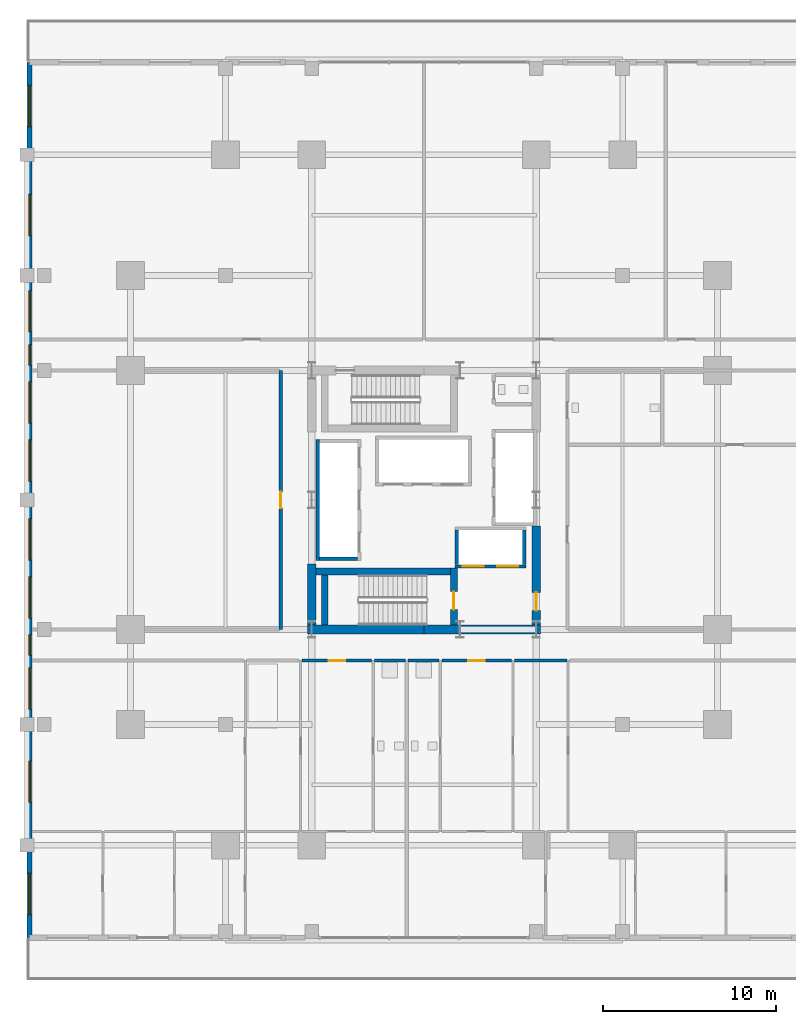
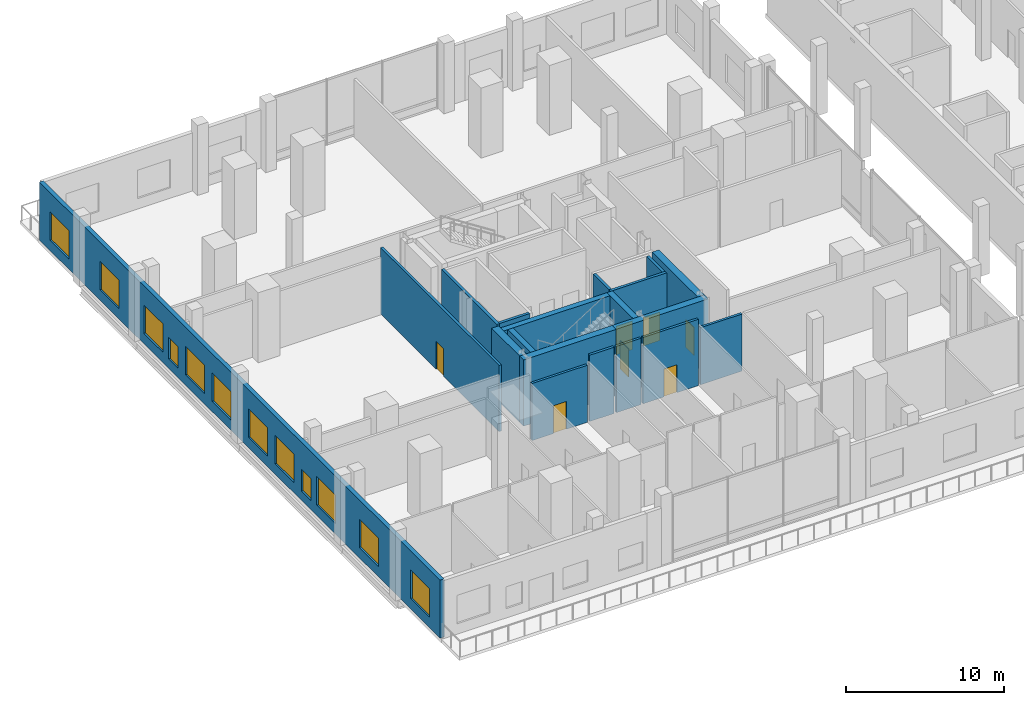
# One storey, part 21 of 32: 19 walls, 12 windows, 7 doors, 19 openings.
"""IFC4 building model written with IfcOpenShell, lengths in metres."""

from ifc_helpers import new_model, si_unit, direction, frame, frame_2d, origin, place, context, subcontext, project, spatial, rectangle, extrude, material, layer, layer_set, type_object, element, fill, save


model = new_model("IFC4")

# Units and contexts
model_context = context("Model", 3, precision=1e-05, world=origin(), true_north=direction((0.0, 1.0)))
body_context = subcontext(model_context, "Body", "Model", "MODEL_VIEW")
ifc_project = project(units=[si_unit("LENGTHUNIT", "METRE"), si_unit("AREAUNIT", "SQUARE_METRE"), si_unit("VOLUMEUNIT", "CUBIC_METRE"), si_unit("PLANEANGLEUNIT", "RADIAN"), si_unit("MASSUNIT", "GRAM", prefix="KILO")], contexts=[model_context])

# Site, building, storey
site_placement = place(None, origin())
site = spatial("IfcSite", under=ifc_project, at=site_placement, CompositionType="ELEMENT")
building_placement = place(site_placement, origin())
building = spatial("IfcBuilding", under=site, at=building_placement, Name="Barlavira Tower and Art Museum", CompositionType="ELEMENT")
storey_placement = place(building_placement, frame((0.0, 0.0, 6.0)))
storey = spatial("IfcBuildingStorey", under=building, at=storey_placement, Name="L01", CompositionType="ELEMENT", Elevation=6.0)

# Walls
ifc_material_1 = material(Name="Concrete C60", Category="concrete")
ifc_layer_1 = layer(ifc_material_1, 0.5, Name="Concrete C60")
ifc_layer_set_1 = layer_set([ifc_layer_1], Name="Concrete C60")
wall_type_1 = type_object("IfcWallType", Name="Core Structural Shear Wall 500 Concrete C60", PredefinedType="SHEAR", material=ifc_layer_set_1)
for number, where, z_axis, x_axis, name in (
    (1, (-6.75, -7.5, 0.0), (0.0, 0.0, 1.0), (1.0, 0.0, 0.0), "L01 Core Shear Wall CS-SW"),
    (2, (0.0, -7.5, 0.0), (0.0, 0.0, 1.0), (1.0, 0.0, 0.0), "L01 Core Shear Wall CS-SE"),
):
    element("IfcWall", number, at=place(storey_placement, frame(where, z_axis=z_axis, x_axis=x_axis)), inside=storey, type_object=wall_type_1, Name=name, PredefinedType="SHEAR", context=body_context, shape_type="SweptSolid", body=[
        extrude(rectangle(XDim=6.75, YDim=0.5, at=frame_2d((3.375, 0.0))), origin(), (0.0, 0.0, 1.0), 5.1201171875),
    ])
wall_1_placement = place(storey_placement, frame((-6.5, -7.25, 0.0), z_axis=(0.0, 0.0, 1.0), x_axis=(0.0, 1.0, 0.0)))
element("IfcWall", 3, at=wall_1_placement, inside=storey, type_object=wall_type_1, Name="L01 Core Shear Wall CS-W1", PredefinedType="SHEAR", context=body_context, shape_type="SweptSolid", body=[
    extrude(rectangle(XDim=3.550048828125, YDim=0.5, at=frame_2d((1.77490234375, 0.0))), origin(), (0.0, 0.0, 1.0), 5.1201171875),
])

# Wall, opening, door
wall_2_placement = place(storey_placement, frame((6.5, -7.25, 0.0), z_axis=(0.0, 0.0, 1.0), x_axis=(0.0, 1.0, 0.0)))
wall_2 = element("IfcWall", 4, at=wall_2_placement, inside=storey, type_object=wall_type_1, Name="L01 Core Shear Wall CS-E1", PredefinedType="SHEAR", context=body_context, shape_type="SweptSolid", body=[
    extrude(rectangle(XDim=5.75, YDim=0.5, at=frame_2d((2.875, 0.0))), origin(), (0.0, 0.0, 1.0), 5.1201171875),
])
opening_1_placement = place(wall_2_placement, frame((0.85009765625, 0.0, 0.0)))
opening_1 = element("IfcOpeningElement", 5, at=opening_1_placement, cuts=wall_2, Name="Opening FD-90", PredefinedType="OPENING", context=body_context, shape_type="SweptSolid", body=[
    extrude(rectangle(XDim=1.050048828125, YDim=2.14990234375, at=frame_2d((0.52490234375, 1.074951171875))), frame((0.0, 0.260009765625, 0.0), z_axis=(0.0, -1.0, 0.0), x_axis=(1.0, 0.0, 0.0)), (0.0, 0.0, 1.0), 0.52001953125),
])
ifc_material_2 = material(Name="Brushed stainless steel", Category="steel")
door_type_1 = type_object("IfcDoorType", Name="Stair and Refuge Fire Door 1050x2150 FD90S", OperationType="NOTDEFINED", PredefinedType="DOOR", material=ifc_material_2)
door_1_placement = place(opening_1_placement, origin())
door_1 = element("IfcDoor", 6, at=door_1_placement, inside=storey, type_object=door_type_1, Name="L01 Firefighting Lobby Entry Fire Door", OperationType="SINGLE_SWING_LEFT", OverallHeight=2.14990234375, OverallWidth=1.050048828125, PredefinedType="DOOR", context=body_context, shape_type="SweptSolid", body=[
    extrude(rectangle(XDim=1.050048828125, YDim=2.14990234375, at=frame_2d((0.52490234375, 1.074951171875))), frame((0.0, 0.02490234375, 0.0), z_axis=(0.0, -1.0, 0.0), x_axis=(1.0, 0.0, 0.0)), (0.0, 0.0, 1.0), 0.050048828125),
])
fill(opening_1, door_1)

# Walls
ifc_material_3 = material(Name="Autoclaved aerated concrete masonry", Category="masonry")
ifc_layer_2 = layer(ifc_material_3, 0.199951171875, Name="Autoclaved aerated concrete masonry")
ifc_layer_set_2 = layer_set([ifc_layer_2], Name="Autoclaved aerated concrete masonry")
wall_type_2 = type_object("IfcWallType", Name="Fire Compartment and Shaft Wall 200", PredefinedType="SOLIDWALL", material=ifc_layer_set_2)
wall_3_placement = place(storey_placement, frame((-6.14990234375, -3.510009765625, 0.0), z_axis=(0.0, 0.0, 1.0), x_axis=(0.0, 1.0, 0.0)))
element("IfcWall", 7, at=wall_3_placement, inside=storey, type_object=wall_type_2, Name="L01 Low-Rise Lift Back Shaft Wall", PredefinedType="SOLIDWALL", context=body_context, shape_type="SweptSolid", body=[
    extrude(rectangle(XDim=7.02001953125, YDim=0.199951171875, at=frame_2d((3.510009765625, 0.0))), origin(), (0.0, 0.0, 1.0), 5.1201171875),
])
wall_4_placement = place(storey_placement, frame((-6.050048828125, -3.409912109375, 0.0), z_axis=(0.0, 0.0, 1.0), x_axis=(1.0, 0.0, 0.0)))
element("IfcWall", 8, at=wall_4_placement, inside=storey, type_object=wall_type_2, Name="L01 Low-Rise Lift South Shaft Wall", PredefinedType="SOLIDWALL", context=body_context, shape_type="SweptSolid", body=[
    extrude(rectangle(XDim=2.199951171875, YDim=0.199951171875, at=frame_2d((1.10009765625, 0.0))), origin(), (0.0, 0.0, 1.0), 5.1201171875),
])

# Wall, openings, doors
wall_5_placement = place(storey_placement, frame((1.800048828125, -3.85009765625, 0.0), z_axis=(0.0, 0.0, 1.0), x_axis=(1.0, 0.0, 0.0)))
wall_5 = element("IfcWall", 9, at=wall_5_placement, inside=storey, type_object=wall_type_2, Name="L01 Firefighting Lift Front Shaft Wall", PredefinedType="SOLIDWALL", context=body_context, shape_type="SweptSolid", body=[
    extrude(rectangle(XDim=4.099853515625, YDim=0.199951171875, at=frame_2d((2.0498046875, 0.0))), origin(), (0.0, 0.0, 1.0), 5.1201171875),
])
opening_2_placement = place(wall_5_placement, frame((0.449951171875, 0.0, 0.0)))
opening_2 = element("IfcOpeningElement", 10, at=opening_2_placement, cuts=wall_5, Name="Opening LD-F", PredefinedType="OPENING", context=body_context, shape_type="SweptSolid", body=[
    extrude(rectangle(XDim=1.199951171875, YDim=2.199951171875, at=frame_2d((0.60009765625, 1.10009765625))), frame((0.0, 0.10986328125, 0.0), z_axis=(0.0, -1.0, 0.0), x_axis=(1.0, 0.0, 0.0)), (0.0, 0.0, 1.0), 0.219970703125),
])
opening_3_placement = place(wall_5_placement, frame((2.449951171875, 0.0, 0.0)))
opening_3 = element("IfcOpeningElement", 11, at=opening_3_placement, cuts=wall_5, Name="Opening LD-F", PredefinedType="OPENING", context=body_context, shape_type="SweptSolid", body=[
    extrude(rectangle(XDim=1.199951171875, YDim=2.199951171875, at=frame_2d((0.60009765625, 1.10009765625))), frame((0.0, 0.10986328125, 0.0), z_axis=(0.0, -1.0, 0.0), x_axis=(1.0, 0.0, 0.0)), (0.0, 0.0, 1.0), 0.219970703125),
])
door_type_2 = type_object("IfcDoorType", Name="Firefighting and Service Lift Sliding Door 1200x2200 FD120", OperationType="NOTDEFINED", PredefinedType="DOOR", material=ifc_material_2)
door_2_placement = place(opening_2_placement, origin())
door_2 = element("IfcDoor", 12, at=door_2_placement, inside=storey, type_object=door_type_2, Name="L01 Firefighting Lift FF1 Sliding Door", OperationType="DOUBLE_DOOR_SLIDING", OverallHeight=2.199951171875, OverallWidth=1.199951171875, PredefinedType="DOOR", context=body_context, shape_type="SweptSolid", body=[
    extrude(rectangle(XDim=1.199951171875, YDim=2.199951171875, at=frame_2d((0.60009765625, 1.10009765625))), frame((0.0, 0.02490234375, 0.0), z_axis=(0.0, -1.0, 0.0), x_axis=(1.0, 0.0, 0.0)), (0.0, 0.0, 1.0), 0.050048828125),
])
fill(opening_2, door_2)
door_3_placement = place(opening_3_placement, origin())
door_3 = element("IfcDoor", 13, at=door_3_placement, inside=storey, type_object=door_type_2, Name="L01 Firefighting Lift FF2 Sliding Door", OperationType="DOUBLE_DOOR_SLIDING", OverallHeight=2.199951171875, OverallWidth=1.199951171875, PredefinedType="DOOR", context=body_context, shape_type="SweptSolid", body=[
    extrude(rectangle(XDim=1.199951171875, YDim=2.199951171875, at=frame_2d((0.60009765625, 1.10009765625))), frame((0.0, 0.02490234375, 0.0), z_axis=(0.0, -1.0, 0.0), x_axis=(1.0, 0.0, 0.0)), (0.0, 0.0, 1.0), 0.050048828125),
])
fill(opening_3, door_3)

# Walls
for number, where, z_axis, x_axis, name in (
    (14, (1.89990234375, -3.75, 0.0), (0.0, 0.0, 1.0), (0.0, 1.0, 0.0), "L01 Firefighting Lift West Shaft Wall"),
    (15, (5.800048828125, -3.75, 0.0), (0.0, 0.0, 1.0), (0.0, 1.0, 0.0), "L01 Firefighting Lift East Shaft Wall"),
):
    element("IfcWall", number, at=place(storey_placement, frame(where, z_axis=z_axis, x_axis=x_axis)), inside=storey, type_object=wall_type_2, Name=name, PredefinedType="SOLIDWALL", context=body_context, shape_type="SweptSolid", body=[
        extrude(rectangle(XDim=2.0, YDim=0.199951171875, at=frame_2d((1.0, 0.0))), origin(), (0.0, 0.0, 1.0), 5.1201171875),
    ])

# Wall, opening, door
ifc_material_4 = material(Name="Gypsum acoustic stud partition", Category="gypsum")
ifc_layer_3 = layer(ifc_material_4, 0.179931640625, Name="Gypsum acoustic stud partition")
ifc_layer_set_3 = layer_set([ifc_layer_3], Name="Gypsum acoustic stud partition")
wall_type_3 = type_object("IfcWallType", Name="Inter-Tenancy Party Partition Wall 180", PredefinedType="PARTITIONING", material=ifc_layer_set_3)
wall_6_placement = place(storey_placement, frame((-8.300048828125, -7.5, 0.0), z_axis=(0.0, 0.0, 1.0), x_axis=(0.0, 1.0, 0.0)))
wall_6 = element("IfcWall", 16, at=wall_6_placement, inside=storey, type_object=wall_type_3, Name="L01 Partition Wall 4", PredefinedType="PARTITIONING", context=body_context, shape_type="SweptSolid", body=[
    extrude(rectangle(XDim=15.0, YDim=0.179931640625, at=frame_2d((7.5, 0.0))), origin(), (0.0, 0.0, 1.0), 5.1201171875),
])
opening_4_placement = place(wall_6_placement, frame((7.02490234375, 0.0, 0.0)))
opening_4 = element("IfcOpeningElement", 17, at=opening_4_placement, cuts=wall_6, Name="Opening FD-60", PredefinedType="OPENING", context=body_context, shape_type="SweptSolid", body=[
    extrude(rectangle(XDim=0.949951171875, YDim=2.14990234375, at=frame_2d((0.47509765625, 1.074951171875))), frame((0.0, 0.10009765625, 0.0), z_axis=(0.0, -1.0, 0.0), x_axis=(1.0, 0.0, 0.0)), (0.0, 0.0, 1.0), 0.199951171875),
])
door_type_3 = type_object("IfcDoorType", Name="Apartment Entrance and Riser Fire Door 950x2150 FD60S", OperationType="NOTDEFINED", PredefinedType="DOOR", material=ifc_material_2)
door_4_placement = place(opening_4_placement, origin())
door_4 = element("IfcDoor", 18, at=door_4_placement, inside=storey, type_object=door_type_3, Name="L01 West Ocean-View Lounge Door", OperationType="SINGLE_SWING_RIGHT", OverallHeight=2.14990234375, OverallWidth=0.949951171875, PredefinedType="DOOR", context=body_context, shape_type="SweptSolid", body=[
    extrude(rectangle(XDim=0.949951171875, YDim=2.14990234375, at=frame_2d((0.47509765625, 1.074951171875))), frame((0.0, 0.02490234375, 0.0), z_axis=(0.0, -1.0, 0.0), x_axis=(1.0, 0.0, 0.0)), (0.0, 0.0, 1.0), 0.050048828125),
])
fill(opening_4, door_4)

wall_7_placement = place(storey_placement, frame((-7.070068359375, -9.300048828125, 0.0), z_axis=(0.0, 0.0, 1.0), x_axis=(1.0, 0.0, 0.0)))
wall_7 = element("IfcWall", 19, at=wall_7_placement, inside=storey, type_object=wall_type_3, Name="L01 Partition Wall 43", PredefinedType="PARTITIONING", context=body_context, shape_type="SweptSolid", body=[
    extrude(rectangle(XDim=4.0400390625, YDim=0.179931640625, at=frame_2d((2.02001953125, 0.0))), origin(), (0.0, 0.0, 1.0), 4.409912109375),
])
opening_5_placement = place(wall_7_placement, frame((1.544921875, 0.0, 0.0)))
opening_5 = element("IfcOpeningElement", 20, at=opening_5_placement, cuts=wall_7, Name="Opening FD-60", PredefinedType="OPENING", context=body_context, shape_type="SweptSolid", body=[
    extrude(rectangle(XDim=0.949951171875, YDim=2.14990234375, at=frame_2d((0.47509765625, 1.074951171875))), frame((0.0, 0.10009765625, 0.0), z_axis=(0.0, -1.0, 0.0), x_axis=(1.0, 0.0, 0.0)), (0.0, 0.0, 1.0), 0.199951171875),
])
door_5_placement = place(opening_5_placement, origin())
door_5 = element("IfcDoor", 21, at=door_5_placement, inside=storey, type_object=door_type_3, Name="Apartment Entrance Hall P1-SW Door", OperationType="SINGLE_SWING_RIGHT", OverallHeight=2.14990234375, OverallWidth=0.949951171875, PredefinedType="DOOR", context=body_context, shape_type="SweptSolid", body=[
    extrude(rectangle(XDim=0.949951171875, YDim=2.14990234375, at=frame_2d((0.47509765625, 1.074951171875))), frame((0.0, 0.02490234375, 0.0), z_axis=(0.0, -1.0, 0.0), x_axis=(1.0, 0.0, 0.0)), (0.0, 0.0, 1.0), 0.050048828125),
])
fill(opening_5, door_5)

# Walls
for number, where, z_axis, x_axis, name in (
    (22, (-2.8701171875, -9.300048828125, 0.0), (0.0, 0.0, 1.0), (1.0, 0.0, 0.0), "L01 Partition Wall 44"),
    (23, (-0.919921875, -9.300048828125, 0.0), (0.0, 0.0, 1.0), (1.0, 0.0, 0.0), "L01 Partition Wall 45"),
):
    element("IfcWall", number, at=place(storey_placement, frame(where, z_axis=z_axis, x_axis=x_axis)), inside=storey, type_object=wall_type_3, Name=name, PredefinedType="PARTITIONING", context=body_context, shape_type="SweptSolid", body=[
        extrude(rectangle(XDim=1.7900390625, YDim=0.179931640625, at=frame_2d((0.89501953125, 0.0))), origin(), (0.0, 0.0, 1.0), 5.1201171875),
    ])

# Wall, opening, door
wall_8_placement = place(storey_placement, frame((1.030029296875, -9.300048828125, 0.0), z_axis=(0.0, 0.0, 1.0), x_axis=(1.0, 0.0, 0.0)))
wall_8 = element("IfcWall", 24, at=wall_8_placement, inside=storey, type_object=wall_type_3, Name="L01 Partition Wall 46", PredefinedType="PARTITIONING", context=body_context, shape_type="SweptSolid", body=[
    extrude(rectangle(XDim=4.0400390625, YDim=0.179931640625, at=frame_2d((2.02001953125, 0.0))), origin(), (0.0, 0.0, 1.0), 5.1201171875),
])
opening_6_placement = place(wall_8_placement, frame((1.544921875, 0.0, 0.0)))
opening_6 = element("IfcOpeningElement", 25, at=opening_6_placement, cuts=wall_8, Name="Opening FD-60", PredefinedType="OPENING", context=body_context, shape_type="SweptSolid", body=[
    extrude(rectangle(XDim=0.949951171875, YDim=2.14990234375, at=frame_2d((0.47509765625, 1.074951171875))), frame((0.0, 0.10009765625, 0.0), z_axis=(0.0, -1.0, 0.0), x_axis=(1.0, 0.0, 0.0)), (0.0, 0.0, 1.0), 0.199951171875),
])
door_6_placement = place(opening_6_placement, origin())
door_6 = element("IfcDoor", 26, at=door_6_placement, inside=storey, type_object=door_type_3, Name="Apartment Entrance Hall P1-SE Door", OperationType="SINGLE_SWING_RIGHT", OverallHeight=2.14990234375, OverallWidth=0.949951171875, PredefinedType="DOOR", context=body_context, shape_type="SweptSolid", body=[
    extrude(rectangle(XDim=0.949951171875, YDim=2.14990234375, at=frame_2d((0.47509765625, 1.074951171875))), frame((0.0, 0.02490234375, 0.0), z_axis=(0.0, -1.0, 0.0), x_axis=(1.0, 0.0, 0.0)), (0.0, 0.0, 1.0), 0.050048828125),
])
fill(opening_6, door_6)

# Wall
wall_9_placement = place(storey_placement, frame((5.22998046875, -9.300048828125, 0.0), z_axis=(0.0, 0.0, 1.0), x_axis=(1.0, 0.0, 0.0)))
element("IfcWall", 27, at=wall_9_placement, inside=storey, type_object=wall_type_3, Name="L01 Partition Wall 47", PredefinedType="PARTITIONING", context=body_context, shape_type="SweptSolid", body=[
    extrude(rectangle(XDim=3.0400390625, YDim=0.179931640625, at=frame_2d((1.52001953125, 0.0))), origin(), (0.0, 0.0, 1.0), 4.409912109375),
])

# Wall, openings, windows
ifc_material_5 = material(Name="Precast concrete C40", Category="concrete")
ifc_layer_4 = layer(ifc_material_5, 0.300048828125, Name="Precast concrete C40")
ifc_layer_set_4 = layer_set([ifc_layer_4], Name="Precast concrete C40")
wall_type_4 = type_object("IfcWallType", Name="Podium Architectural Precast Facade Wall 300 Concrete C40", PredefinedType="SOLIDWALL", material=ifc_layer_set_4)
wall_10_placement = place(storey_placement, frame((-22.85009765625, 25.35009765625, 0.0), z_axis=(0.0, 0.0, 1.0), x_axis=(0.0, -1.0, 0.0)))
wall_10 = element("IfcWall", 28, at=wall_10_placement, inside=storey, type_object=wall_type_4, Name="L01 Podium West Facade Wall", PredefinedType="SOLIDWALL", context=body_context, shape_type="SweptSolid", body=[
    extrude(rectangle(XDim=50.7001953125, YDim=0.300048828125, at=frame_2d((25.35009765625, 0.0))), origin(), (0.0, 0.0, 1.0), 4.47607421875),
])
opening_7_placement = place(wall_10_placement, frame((1.330078125, 0.0, 0.800048828125)))
opening_7 = element("IfcOpeningElement", 29, at=opening_7_placement, cuts=wall_10, Name="Opening WN-02", PredefinedType="OPENING", context=body_context, shape_type="SweptSolid", body=[
    extrude(rectangle(XDim=2.39990234375, YDim=2.199951171875, at=frame_2d((1.199951171875, 1.10009765625))), frame((0.0, 0.16015625, 0.0), z_axis=(0.0, -1.0, 0.0), x_axis=(1.0, 0.0, 0.0)), (0.0, 0.0, 1.0), 0.320068359375),
])
opening_8_placement = place(wall_10_placement, frame((7.64990234375, 0.0, 0.800048828125)))
opening_8 = element("IfcOpeningElement", 30, at=opening_8_placement, cuts=wall_10, Name="Opening WN-02", PredefinedType="OPENING", context=body_context, shape_type="SweptSolid", body=[
    extrude(rectangle(XDim=2.39990234375, YDim=2.199951171875, at=frame_2d((1.199951171875, 1.10009765625))), frame((0.0, 0.16015625, 0.0), z_axis=(0.0, -1.0, 0.0), x_axis=(1.0, 0.0, 0.0)), (0.0, 0.0, 1.0), 0.320068359375),
])
opening_9_placement = place(wall_10_placement, frame((13.219970703125, 0.0, 0.800048828125)))
opening_9 = element("IfcOpeningElement", 31, at=opening_9_placement, cuts=wall_10, Name="Opening WN-02", PredefinedType="OPENING", context=body_context, shape_type="SweptSolid", body=[
    extrude(rectangle(XDim=2.39990234375, YDim=2.199951171875, at=frame_2d((1.199951171875, 1.10009765625))), frame((0.0, 0.16015625, 0.0), z_axis=(0.0, -1.0, 0.0), x_axis=(1.0, 0.0, 0.0)), (0.0, 0.0, 1.0), 0.320068359375),
])
opening_10_placement = place(wall_10_placement, frame((16.35009765625, 0.0, 0.719970703125)))
opening_10 = element("IfcOpeningElement", 32, at=opening_10_placement, cuts=wall_10, Name="Opening WN-05", PredefinedType="OPENING", context=body_context, shape_type="SweptSolid", body=[
    extrude(rectangle(XDim=1.199951171875, YDim=1.679931640625, at=frame_2d((0.60009765625, 0.83984375))), frame((0.0, 0.16015625, 0.0), z_axis=(0.0, -1.0, 0.0), x_axis=(1.0, 0.0, 0.0)), (0.0, 0.0, 1.0), 0.320068359375),
])
opening_11_placement = place(wall_10_placement, frame((18.4951171875, 0.0, 0.800048828125)))
opening_11 = element("IfcOpeningElement", 33, at=opening_11_placement, cuts=wall_10, Name="Opening WN-02", PredefinedType="OPENING", context=body_context, shape_type="SweptSolid", body=[
    extrude(rectangle(XDim=2.39990234375, YDim=2.199951171875, at=frame_2d((1.199951171875, 1.10009765625))), frame((0.0, 0.16015625, 0.0), z_axis=(0.0, -1.0, 0.0), x_axis=(1.0, 0.0, 0.0)), (0.0, 0.0, 1.0), 0.320068359375),
])
opening_12_placement = place(wall_10_placement, frame((21.864990234375, 0.0, 0.800048828125)))
opening_12 = element("IfcOpeningElement", 34, at=opening_12_placement, cuts=wall_10, Name="Opening WN-02", PredefinedType="OPENING", context=body_context, shape_type="SweptSolid", body=[
    extrude(rectangle(XDim=2.39990234375, YDim=2.199951171875, at=frame_2d((1.199951171875, 1.10009765625))), frame((0.0, 0.16015625, 0.0), z_axis=(0.0, -1.0, 0.0), x_axis=(1.0, 0.0, 0.0)), (0.0, 0.0, 1.0), 0.320068359375),
])
opening_13_placement = place(wall_10_placement, frame((26.43505859375, 0.0, 0.800048828125)))
opening_13 = element("IfcOpeningElement", 35, at=opening_13_placement, cuts=wall_10, Name="Opening WN-02", PredefinedType="OPENING", context=body_context, shape_type="SweptSolid", body=[
    extrude(rectangle(XDim=2.39990234375, YDim=2.199951171875, at=frame_2d((1.199951171875, 1.10009765625))), frame((0.0, 0.16015625, 0.0), z_axis=(0.0, -1.0, 0.0), x_axis=(1.0, 0.0, 0.0)), (0.0, 0.0, 1.0), 0.320068359375),
])
opening_14_placement = place(wall_10_placement, frame((29.804931640625, 0.0, 0.800048828125)))
opening_14 = element("IfcOpeningElement", 36, at=opening_14_placement, cuts=wall_10, Name="Opening WN-02", PredefinedType="OPENING", context=body_context, shape_type="SweptSolid", body=[
    extrude(rectangle(XDim=2.39990234375, YDim=2.199951171875, at=frame_2d((1.199951171875, 1.10009765625))), frame((0.0, 0.16015625, 0.0), z_axis=(0.0, -1.0, 0.0), x_axis=(1.0, 0.0, 0.0)), (0.0, 0.0, 1.0), 0.320068359375),
])
opening_15_placement = place(wall_10_placement, frame((33.14990234375, 0.0, 0.719970703125)))
opening_15 = element("IfcOpeningElement", 37, at=opening_15_placement, cuts=wall_10, Name="Opening WN-05", PredefinedType="OPENING", context=body_context, shape_type="SweptSolid", body=[
    extrude(rectangle(XDim=1.199951171875, YDim=1.679931640625, at=frame_2d((0.60009765625, 0.83984375))), frame((0.0, 0.16015625, 0.0), z_axis=(0.0, -1.0, 0.0), x_axis=(1.0, 0.0, 0.0)), (0.0, 0.0, 1.0), 0.320068359375),
])
opening_16_placement = place(wall_10_placement, frame((35.080078125, 0.0, 0.800048828125)))
opening_16 = element("IfcOpeningElement", 38, at=opening_16_placement, cuts=wall_10, Name="Opening WN-02", PredefinedType="OPENING", context=body_context, shape_type="SweptSolid", body=[
    extrude(rectangle(XDim=2.39990234375, YDim=2.199951171875, at=frame_2d((1.199951171875, 1.10009765625))), frame((0.0, 0.16015625, 0.0), z_axis=(0.0, -1.0, 0.0), x_axis=(1.0, 0.0, 0.0)), (0.0, 0.0, 1.0), 0.320068359375),
])
opening_17_placement = place(wall_10_placement, frame((40.469970703125, 0.0, 0.800048828125)))
opening_17 = element("IfcOpeningElement", 39, at=opening_17_placement, cuts=wall_10, Name="Opening WN-02", PredefinedType="OPENING", context=body_context, shape_type="SweptSolid", body=[
    extrude(rectangle(XDim=2.39990234375, YDim=2.199951171875, at=frame_2d((1.199951171875, 1.10009765625))), frame((0.0, 0.16015625, 0.0), z_axis=(0.0, -1.0, 0.0), x_axis=(1.0, 0.0, 0.0)), (0.0, 0.0, 1.0), 0.320068359375),
])
opening_18_placement = place(wall_10_placement, frame((46.969970703125, 0.0, 0.800048828125)))
opening_18 = element("IfcOpeningElement", 40, at=opening_18_placement, cuts=wall_10, Name="Opening WN-02", PredefinedType="OPENING", context=body_context, shape_type="SweptSolid", body=[
    extrude(rectangle(XDim=2.39990234375, YDim=2.199951171875, at=frame_2d((1.199951171875, 1.10009765625))), frame((0.0, 0.16015625, 0.0), z_axis=(0.0, -1.0, 0.0), x_axis=(1.0, 0.0, 0.0)), (0.0, 0.0, 1.0), 0.320068359375),
])
ifc_material_6 = material(Name="Low-iron coastal laminated glass", Category="glass")
window_type_1 = type_object("IfcWindowType", Name="Podium Garden Gallery Window 2400x2200", PartitioningType="SINGLE_PANEL", PredefinedType="WINDOW", material=ifc_material_6)
window_1_placement = place(opening_7_placement, origin())
window_1 = element("IfcWindow", 41, at=window_1_placement, inside=storey, type_object=window_type_1, Name="L01 Punched Facade Window EW-L01-W-1", OverallHeight=2.199951171875, OverallWidth=2.39990234375, PartitioningType="SINGLE_PANEL", PredefinedType="WINDOW", context=body_context, shape_type="SweptSolid", body=[
    extrude(rectangle(XDim=2.39990234375, YDim=2.199951171875, at=frame_2d((1.199951171875, 1.10009765625))), frame((0.0, 0.030029296875, 0.0), z_axis=(0.0, -1.0, 0.0), x_axis=(1.0, 0.0, 0.0)), (0.0, 0.0, 1.0), 0.06005859375),
])
fill(opening_7, window_1)
window_2_placement = place(opening_8_placement, origin())
window_2 = element("IfcWindow", 42, at=window_2_placement, inside=storey, type_object=window_type_1, Name="L01 Punched Facade Window EW-L01-W-2", OverallHeight=2.199951171875, OverallWidth=2.39990234375, PartitioningType="SINGLE_PANEL", PredefinedType="WINDOW", context=body_context, shape_type="SweptSolid", body=[
    extrude(rectangle(XDim=2.39990234375, YDim=2.199951171875, at=frame_2d((1.199951171875, 1.10009765625))), frame((0.0, 0.030029296875, 0.0), z_axis=(0.0, -1.0, 0.0), x_axis=(1.0, 0.0, 0.0)), (0.0, 0.0, 1.0), 0.06005859375),
])
fill(opening_8, window_2)
window_3_placement = place(opening_9_placement, origin())
window_3 = element("IfcWindow", 43, at=window_3_placement, inside=storey, type_object=window_type_1, Name="L01 Punched Facade Window EW-L01-W-3", OverallHeight=2.199951171875, OverallWidth=2.39990234375, PartitioningType="SINGLE_PANEL", PredefinedType="WINDOW", context=body_context, shape_type="SweptSolid", body=[
    extrude(rectangle(XDim=2.39990234375, YDim=2.199951171875, at=frame_2d((1.199951171875, 1.10009765625))), frame((0.0, 0.030029296875, 0.0), z_axis=(0.0, -1.0, 0.0), x_axis=(1.0, 0.0, 0.0)), (0.0, 0.0, 1.0), 0.06005859375),
])
fill(opening_9, window_3)
window_4_placement = place(opening_11_placement, origin())
window_4 = element("IfcWindow", 44, at=window_4_placement, inside=storey, type_object=window_type_1, Name="L01 Punched Facade Window EW-L01-W-5", OverallHeight=2.199951171875, OverallWidth=2.39990234375, PartitioningType="SINGLE_PANEL", PredefinedType="WINDOW", context=body_context, shape_type="SweptSolid", body=[
    extrude(rectangle(XDim=2.39990234375, YDim=2.199951171875, at=frame_2d((1.199951171875, 1.10009765625))), frame((0.0, 0.030029296875, 0.0), z_axis=(0.0, -1.0, 0.0), x_axis=(1.0, 0.0, 0.0)), (0.0, 0.0, 1.0), 0.06005859375),
])
fill(opening_11, window_4)
window_5_placement = place(opening_12_placement, origin())
window_5 = element("IfcWindow", 45, at=window_5_placement, inside=storey, type_object=window_type_1, Name="L01 Punched Facade Window EW-L01-W-6", OverallHeight=2.199951171875, OverallWidth=2.39990234375, PartitioningType="SINGLE_PANEL", PredefinedType="WINDOW", context=body_context, shape_type="SweptSolid", body=[
    extrude(rectangle(XDim=2.39990234375, YDim=2.199951171875, at=frame_2d((1.199951171875, 1.10009765625))), frame((0.0, 0.030029296875, 0.0), z_axis=(0.0, -1.0, 0.0), x_axis=(1.0, 0.0, 0.0)), (0.0, 0.0, 1.0), 0.06005859375),
])
fill(opening_12, window_5)
window_6_placement = place(opening_13_placement, origin())
window_6 = element("IfcWindow", 46, at=window_6_placement, inside=storey, type_object=window_type_1, Name="L01 Punched Facade Window EW-L01-W-7", OverallHeight=2.199951171875, OverallWidth=2.39990234375, PartitioningType="SINGLE_PANEL", PredefinedType="WINDOW", context=body_context, shape_type="SweptSolid", body=[
    extrude(rectangle(XDim=2.39990234375, YDim=2.199951171875, at=frame_2d((1.199951171875, 1.10009765625))), frame((0.0, 0.030029296875, 0.0), z_axis=(0.0, -1.0, 0.0), x_axis=(1.0, 0.0, 0.0)), (0.0, 0.0, 1.0), 0.06005859375),
])
fill(opening_13, window_6)
window_7_placement = place(opening_14_placement, origin())
window_7 = element("IfcWindow", 47, at=window_7_placement, inside=storey, type_object=window_type_1, Name="L01 Punched Facade Window EW-L01-W-8", OverallHeight=2.199951171875, OverallWidth=2.39990234375, PartitioningType="SINGLE_PANEL", PredefinedType="WINDOW", context=body_context, shape_type="SweptSolid", body=[
    extrude(rectangle(XDim=2.39990234375, YDim=2.199951171875, at=frame_2d((1.199951171875, 1.10009765625))), frame((0.0, 0.030029296875, 0.0), z_axis=(0.0, -1.0, 0.0), x_axis=(1.0, 0.0, 0.0)), (0.0, 0.0, 1.0), 0.06005859375),
])
fill(opening_14, window_7)
window_8_placement = place(opening_16_placement, origin())
window_8 = element("IfcWindow", 48, at=window_8_placement, inside=storey, type_object=window_type_1, Name="L01 Punched Facade Window EW-L01-W-10", OverallHeight=2.199951171875, OverallWidth=2.39990234375, PartitioningType="SINGLE_PANEL", PredefinedType="WINDOW", context=body_context, shape_type="SweptSolid", body=[
    extrude(rectangle(XDim=2.39990234375, YDim=2.199951171875, at=frame_2d((1.199951171875, 1.10009765625))), frame((0.0, 0.030029296875, 0.0), z_axis=(0.0, -1.0, 0.0), x_axis=(1.0, 0.0, 0.0)), (0.0, 0.0, 1.0), 0.06005859375),
])
fill(opening_16, window_8)
window_9_placement = place(opening_17_placement, origin())
window_9 = element("IfcWindow", 49, at=window_9_placement, inside=storey, type_object=window_type_1, Name="L01 Punched Facade Window EW-L01-W-11", OverallHeight=2.199951171875, OverallWidth=2.39990234375, PartitioningType="SINGLE_PANEL", PredefinedType="WINDOW", context=body_context, shape_type="SweptSolid", body=[
    extrude(rectangle(XDim=2.39990234375, YDim=2.199951171875, at=frame_2d((1.199951171875, 1.10009765625))), frame((0.0, 0.030029296875, 0.0), z_axis=(0.0, -1.0, 0.0), x_axis=(1.0, 0.0, 0.0)), (0.0, 0.0, 1.0), 0.06005859375),
])
fill(opening_17, window_9)
window_10_placement = place(opening_18_placement, origin())
window_10 = element("IfcWindow", 50, at=window_10_placement, inside=storey, type_object=window_type_1, Name="L01 Punched Facade Window EW-L01-W-12", OverallHeight=2.199951171875, OverallWidth=2.39990234375, PartitioningType="SINGLE_PANEL", PredefinedType="WINDOW", context=body_context, shape_type="SweptSolid", body=[
    extrude(rectangle(XDim=2.39990234375, YDim=2.199951171875, at=frame_2d((1.199951171875, 1.10009765625))), frame((0.0, 0.030029296875, 0.0), z_axis=(0.0, -1.0, 0.0), x_axis=(1.0, 0.0, 0.0)), (0.0, 0.0, 1.0), 0.06005859375),
])
fill(opening_18, window_10)
window_type_2 = type_object("IfcWindowType", Name="Recessed Flank Pier Punch Window 1200x1680", PartitioningType="SINGLE_PANEL", PredefinedType="WINDOW", material=ifc_material_6)
window_11_placement = place(opening_10_placement, origin())
window_11 = element("IfcWindow", 51, at=window_11_placement, inside=storey, type_object=window_type_2, Name="L01 Punched Facade Window EW-L01-W-4", OverallHeight=1.679931640625, OverallWidth=1.199951171875, PartitioningType="SINGLE_PANEL", PredefinedType="WINDOW", context=body_context, shape_type="SweptSolid", body=[
    extrude(rectangle(XDim=1.199951171875, YDim=1.679931640625, at=frame_2d((0.60009765625, 0.83984375))), frame((0.0, 0.030029296875, 0.0), z_axis=(0.0, -1.0, 0.0), x_axis=(1.0, 0.0, 0.0)), (0.0, 0.0, 1.0), 0.06005859375),
])
fill(opening_10, window_11)
window_12_placement = place(opening_15_placement, origin())
window_12 = element("IfcWindow", 52, at=window_12_placement, inside=storey, type_object=window_type_2, Name="L01 Punched Facade Window EW-L01-W-9", OverallHeight=1.679931640625, OverallWidth=1.199951171875, PartitioningType="SINGLE_PANEL", PredefinedType="WINDOW", context=body_context, shape_type="SweptSolid", body=[
    extrude(rectangle(XDim=1.199951171875, YDim=1.679931640625, at=frame_2d((0.60009765625, 0.83984375))), frame((0.0, 0.030029296875, 0.0), z_axis=(0.0, -1.0, 0.0), x_axis=(1.0, 0.0, 0.0)), (0.0, 0.0, 1.0), 0.06005859375),
])
fill(opening_15, window_12)

# Walls
ifc_material_7 = material(Name="Concrete C55", Category="concrete")
ifc_layer_5 = layer(ifc_material_7, 0.39990234375, Name="Concrete C55")
ifc_layer_set_5 = layer_set([ifc_layer_5], Name="Concrete C55")
wall_type_5 = type_object("IfcWallType", Name="Upper Core Shear Wall 400 Concrete C55", PredefinedType="SHEAR", material=ifc_layer_set_5)
wall_11_placement = place(storey_placement, frame((-5.75, -7.25, 0.0), z_axis=(0.0, 0.0, 1.0), x_axis=(0.0, 1.0, 0.0)))
element("IfcWall", 53, at=wall_11_placement, inside=storey, type_object=wall_type_5, Name="L01 ST-T1 West Half-Landing Wall", PredefinedType="SHEAR", context=body_context, shape_type="SweptSolid", body=[
    extrude(rectangle(XDim=2.89990234375, YDim=0.39990234375, at=frame_2d((1.449951171875, 0.0))), origin(), (0.0, 0.0, 1.0), 5.1201171875),
])
wall_12_placement = place(storey_placement, frame((-6.25, -4.14990234375, 0.0), z_axis=(0.0, 0.0, 1.0), x_axis=(1.0, 0.0, 0.0)))
element("IfcWall", 54, at=wall_12_placement, inside=storey, type_object=wall_type_5, Name="L01 ST-T1 North Shaft Wall", PredefinedType="SHEAR", context=body_context, shape_type="SweptSolid", body=[
    extrude(rectangle(XDim=7.780029296875, YDim=0.39990234375, at=frame_2d((3.89013671875, 0.0))), origin(), (0.0, 0.0, 1.0), 5.1201171875),
])

# Wall, opening, door
wall_13_placement = place(storey_placement, frame((1.72998046875, -7.25, 0.0), z_axis=(0.0, 0.0, 1.0), x_axis=(0.0, 1.0, 0.0)))
wall_13 = element("IfcWall", 55, at=wall_13_placement, inside=storey, type_object=wall_type_5, Name="L01 ST-T1 East Landing Wall", PredefinedType="SHEAR", context=body_context, shape_type="SweptSolid", body=[
    extrude(rectangle(XDim=3.300048828125, YDim=0.39990234375, at=frame_2d((1.64990234375, 0.0))), origin(), (0.0, 0.0, 1.0), 5.1201171875),
])
opening_19_placement = place(wall_13_placement, frame((0.89990234375, 0.0, 0.0)))
opening_19 = element("IfcOpeningElement", 56, at=opening_19_placement, cuts=wall_13, Name="Opening FD-90", PredefinedType="OPENING", context=body_context, shape_type="SweptSolid", body=[
    extrude(rectangle(XDim=1.050048828125, YDim=2.14990234375, at=frame_2d((0.52490234375, 1.074951171875))), frame((0.0, 0.2099609375, 0.0), z_axis=(0.0, -1.0, 0.0), x_axis=(1.0, 0.0, 0.0)), (0.0, 0.0, 1.0), 0.419921875),
])
door_7_placement = place(opening_19_placement, origin())
door_7 = element("IfcDoor", 57, at=door_7_placement, inside=storey, type_object=door_type_1, Name="L01 Stair ST-T1 Fire Door", OperationType="SINGLE_SWING_RIGHT", OverallHeight=2.14990234375, OverallWidth=1.050048828125, PredefinedType="DOOR", context=body_context, shape_type="SweptSolid", body=[
    extrude(rectangle(XDim=1.050048828125, YDim=2.14990234375, at=frame_2d((0.52490234375, 1.074951171875))), frame((0.0, 0.02490234375, 0.0), z_axis=(0.0, -1.0, 0.0), x_axis=(1.0, 0.0, 0.0)), (0.0, 0.0, 1.0), 0.050048828125),
])
fill(opening_19, door_7)

save(model, "model.ifc")
